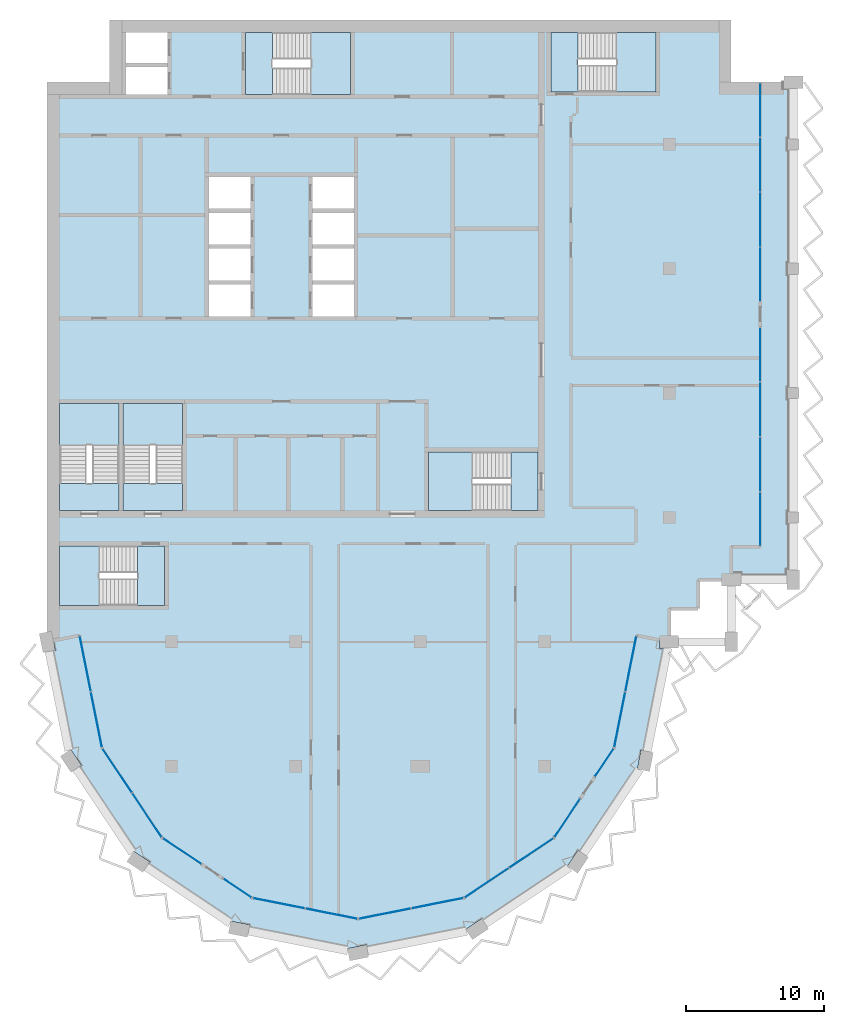
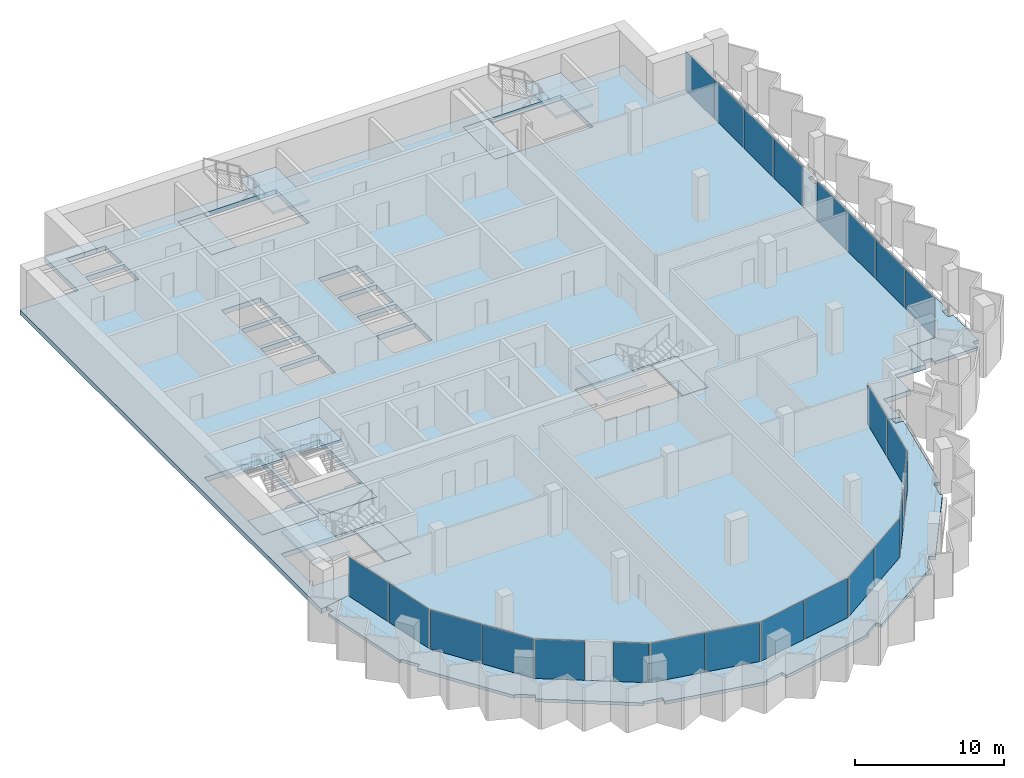
# One storey, part 6 of 14: 24 plates, 15 slabs, 18 elements without a shape of their own.
"""IFC4 building model written with IfcOpenShell, lengths in metres."""

from ifc_helpers import new_model, si_unit, direction, frame, origin, origin_2d, place, context, subcontext, project, spatial, polyline, rectangle, outline, extrude, material, layer, layer_set, type_object, element, aggregate, save


model = new_model("IFC4")

# Units and contexts
model_context = context("Model", 3, precision=1e-05, world=origin(), true_north=direction((0.0, 1.0)))
body_context = subcontext(model_context, "Body", "Model", "MODEL_VIEW")
ifc_project = project(units=[si_unit("LENGTHUNIT", "METRE"), si_unit("AREAUNIT", "SQUARE_METRE"), si_unit("VOLUMEUNIT", "CUBIC_METRE"), si_unit("PLANEANGLEUNIT", "RADIAN"), si_unit("MASSUNIT", "GRAM", prefix="KILO")], contexts=[model_context])

# Site, building, storey
site_placement = place(None, origin())
site = spatial("IfcSite", under=ifc_project, at=site_placement, CompositionType="ELEMENT")
building_placement = place(site_placement, origin())
building = spatial("IfcBuilding", under=site, at=building_placement, Name="Hunhe Ridgeline Campus", CompositionType="ELEMENT")
storey_placement = place(building_placement, frame((0.0, 0.0, 295.60009765625)))
storey = spatial("IfcBuildingStorey", under=building, at=storey_placement, Name="L76", CompositionType="ELEMENT", Elevation=295.60009765625)

# Curtain wall, plates
ifc_material_1 = material(Name="Aluminium 6063", Category="aluminium")
curtain_wall_type_1 = type_object("IfcCurtainWallType", Name="Curtain wall CW-5", PredefinedType="NOTDEFINED", material=ifc_material_1)
curtain_wall_1_placement = place(storey_placement, origin())
curtain_wall_1 = element("IfcCurtainWall", 1, at=curtain_wall_1_placement, inside=storey, type_object=curtain_wall_type_1, Name="Curtain wall 01", PredefinedType="NOTDEFINED")
ifc_material_2 = material(Name="Low-e laminated glass", Category="glass")
ifc_layer_1 = layer(ifc_material_2, 0.028076171875)
ifc_layer_set_1 = layer_set([ifc_layer_1], Name="Curtain wall glass panel 28 low-e laminated")
plate_type = type_object("IfcPlateType", Name="Curtain wall glass panel 28 low-e laminated", PredefinedType="CURTAIN_PANEL", material=ifc_layer_set_1)
plate_1_placement = place(storey_placement, frame((2.76318359375, 52.416015625, 0.0), z_axis=(0.0, 0.0, 1.0), x_axis=(0.195095347137, -0.980784280831, 0.0)))
plate_1 = element("IfcPlate", 2, at=plate_1_placement, type_object=plate_type, Name="CW-5 panel 1", PredefinedType="CURTAIN_PANEL", context=body_context, shape_type="SweptSolid", body=[
    extrude(rectangle(XDim=4.0458984375, YDim=0.028076171875, at=origin_2d()), origin(), (0.0, 0.0, 1.0), 3.22998046875),
])
plate_2_placement = place(storey_placement, frame((3.566162109375, 48.379150390625, 0.0), z_axis=(0.0, 0.0, 1.0), x_axis=(0.195095347137, -0.980784280831, 0.0)))
plate_2 = element("IfcPlate", 3, at=plate_2_placement, type_object=plate_type, Name="CW-5 panel 2", PredefinedType="CURTAIN_PANEL", context=body_context, shape_type="SweptSolid", body=[
    extrude(rectangle(XDim=4.0458984375, YDim=0.028076171875, at=origin_2d()), origin(), (0.0, 0.0, 1.0), 3.22998046875),
])
aggregate(curtain_wall_1, [plate_1, plate_2])

curtain_wall_2_placement = place(storey_placement, origin())
curtain_wall_2 = element("IfcCurtainWall", 4, at=curtain_wall_2_placement, inside=storey, type_object=curtain_wall_type_1, Name="Curtain wall 02", PredefinedType="NOTDEFINED")
plate_3_placement = place(storey_placement, frame((5.07080078125, 44.685546875, 0.0), z_axis=(0.0, 0.0, 1.0), x_axis=(0.555570274596, -0.831469584522, 0.0)))
plate_3 = element("IfcPlate", 5, at=plate_3_placement, type_object=plate_type, Name="CW-5 panel 1", PredefinedType="CURTAIN_PANEL", context=body_context, shape_type="SweptSolid", body=[
    extrude(rectangle(XDim=3.806884765625, YDim=0.028076171875, at=origin_2d()), origin(), (0.0, 0.0, 1.0), 3.22998046875),
])
plate_4_placement = place(storey_placement, frame((7.224609375, 41.4619140625, 0.0), z_axis=(0.0, 0.0, 1.0), x_axis=(0.555570274596, -0.831469584522, 0.0)))
plate_4 = element("IfcPlate", 6, at=plate_4_placement, type_object=plate_type, Name="CW-5 panel 2", PredefinedType="CURTAIN_PANEL", context=body_context, shape_type="SweptSolid", body=[
    extrude(rectangle(XDim=3.806884765625, YDim=0.028076171875, at=origin_2d()), origin(), (0.0, 0.0, 1.0), 3.22998046875),
])
aggregate(curtain_wall_2, [plate_3, plate_4])

# Curtain wall, plate
curtain_wall_3_placement = place(storey_placement, origin())
curtain_wall_3 = element("IfcCurtainWall", 7, at=curtain_wall_3_placement, inside=storey, type_object=curtain_wall_type_1, Name="Curtain wall 03", PredefinedType="NOTDEFINED")
plate_5_placement = place(storey_placement, frame((9.76025390625, 38.859375, 0.0), z_axis=(0.0, 0.0, 1.0), x_axis=(0.831469595944, -0.555570257501, 0.0)))
plate_5 = element("IfcPlate", 8, at=plate_5_placement, type_object=plate_type, Name="CW-5 panel 1", PredefinedType="CURTAIN_PANEL", context=body_context, shape_type="SweptSolid", body=[
    extrude(rectangle(XDim=3.322021484375, YDim=0.028076171875, at=origin_2d()), origin(), (0.0, 0.0, 1.0), 3.22998046875),
])
aggregate(curtain_wall_3, [plate_5])

curtain_wall_4_placement = place(storey_placement, origin())
curtain_wall_4 = element("IfcCurtainWall", 9, at=curtain_wall_4_placement, inside=storey, type_object=curtain_wall_type_1, Name="Curtain wall 04", PredefinedType="NOTDEFINED")
plate_6_placement = place(storey_placement, frame((13.761474609375, 36.18603515625, 0.0), z_axis=(0.0, 0.0, 1.0), x_axis=(0.831469510353, -0.555570385598, 0.0)))
plate_6 = element("IfcPlate", 10, at=plate_6_placement, type_object=plate_type, Name="CW-5 panel 1", PredefinedType="CURTAIN_PANEL", context=body_context, shape_type="SweptSolid", body=[
    extrude(rectangle(XDim=2.421875, YDim=0.028076171875, at=origin_2d()), origin(), (0.0, 0.0, 1.0), 3.22998046875),
])
aggregate(curtain_wall_4, [plate_6])

# Curtain wall, plates
curtain_wall_5_placement = place(storey_placement, origin())
curtain_wall_5 = element("IfcCurtainWall", 11, at=curtain_wall_5_placement, inside=storey, type_object=curtain_wall_type_1, Name="Curtain wall 05", PredefinedType="NOTDEFINED")
plate_7_placement = place(storey_placement, frame((16.761962890625, 35.08935546875, 0.0), z_axis=(0.0, 0.0, 1.0), x_axis=(0.980785275326, -0.195090347539, 0.0)))
plate_7 = element("IfcPlate", 12, at=plate_7_placement, type_object=plate_type, Name="CW-5 panel 1", PredefinedType="CURTAIN_PANEL", context=body_context, shape_type="SweptSolid", body=[
    extrude(rectangle(XDim=3.806884765625, YDim=0.028076171875, at=origin_2d()), origin(), (0.0, 0.0, 1.0), 3.22998046875),
])
plate_8_placement = place(storey_placement, frame((20.564453125, 34.3330078125, 0.0), z_axis=(0.0, 0.0, 1.0), x_axis=(0.980785275326, -0.195090347539, 0.0)))
plate_8 = element("IfcPlate", 13, at=plate_8_placement, type_object=plate_type, Name="CW-5 panel 2", PredefinedType="CURTAIN_PANEL", context=body_context, shape_type="SweptSolid", body=[
    extrude(rectangle(XDim=3.806884765625, YDim=0.028076171875, at=origin_2d()), origin(), (0.0, 0.0, 1.0), 3.22998046875),
])
aggregate(curtain_wall_5, [plate_7, plate_8])

curtain_wall_6_placement = place(storey_placement, origin())
curtain_wall_6 = element("IfcCurtainWall", 14, at=curtain_wall_6_placement, inside=storey, type_object=curtain_wall_type_1, Name="Curtain wall 06", PredefinedType="NOTDEFINED")
plate_9_placement = place(storey_placement, frame((24.435546875, 34.3330078125, 0.0), z_axis=(0.0, 0.0, 1.0), x_axis=(0.980785275326, 0.195090347539, 0.0)))
plate_9 = element("IfcPlate", 15, at=plate_9_placement, type_object=plate_type, Name="CW-5 panel 1", PredefinedType="CURTAIN_PANEL", context=body_context, shape_type="SweptSolid", body=[
    extrude(rectangle(XDim=3.806884765625, YDim=0.028076171875, at=origin_2d()), origin(), (0.0, 0.0, 1.0), 3.22998046875),
])
plate_10_placement = place(storey_placement, frame((28.238037109375, 35.08935546875, 0.0), z_axis=(0.0, 0.0, 1.0), x_axis=(0.980785275326, 0.195090347539, 0.0)))
plate_10 = element("IfcPlate", 16, at=plate_10_placement, type_object=plate_type, Name="CW-5 panel 2", PredefinedType="CURTAIN_PANEL", context=body_context, shape_type="SweptSolid", body=[
    extrude(rectangle(XDim=3.806884765625, YDim=0.028076171875, at=origin_2d()), origin(), (0.0, 0.0, 1.0), 3.22998046875),
])
aggregate(curtain_wall_6, [plate_9, plate_10])

curtain_wall_7_placement = place(storey_placement, origin())
curtain_wall_7 = element("IfcCurtainWall", 17, at=curtain_wall_7_placement, inside=storey, type_object=curtain_wall_type_1, Name="Curtain wall 07", PredefinedType="NOTDEFINED")
plate_11_placement = place(storey_placement, frame((31.814453125, 36.57080078125, 0.0), z_axis=(0.0, 0.0, 1.0), x_axis=(0.831469584522, 0.555570274596, 0.0)))
plate_11 = element("IfcPlate", 18, at=plate_11_placement, type_object=plate_type, Name="CW-5 panel 1", PredefinedType="CURTAIN_PANEL", context=body_context, shape_type="SweptSolid", body=[
    extrude(rectangle(XDim=3.806884765625, YDim=0.028076171875, at=origin_2d()), origin(), (0.0, 0.0, 1.0), 3.22998046875),
])
plate_12_placement = place(storey_placement, frame((35.0380859375, 38.724609375, 0.0), z_axis=(0.0, 0.0, 1.0), x_axis=(0.831469584522, 0.555570274596, 0.0)))
plate_12 = element("IfcPlate", 19, at=plate_12_placement, type_object=plate_type, Name="CW-5 panel 2", PredefinedType="CURTAIN_PANEL", context=body_context, shape_type="SweptSolid", body=[
    extrude(rectangle(XDim=3.806884765625, YDim=0.028076171875, at=origin_2d()), origin(), (0.0, 0.0, 1.0), 3.22998046875),
])
aggregate(curtain_wall_7, [plate_11, plate_12])

# Curtain wall, plate
curtain_wall_8_placement = place(storey_placement, origin())
curtain_wall_8 = element("IfcCurtainWall", 20, at=curtain_wall_8_placement, inside=storey, type_object=curtain_wall_type_1, Name="Curtain wall 08", PredefinedType="NOTDEFINED")
plate_13_placement = place(storey_placement, frame((37.640625, 41.26025390625, 0.0), z_axis=(0.0, 0.0, 1.0), x_axis=(0.555570257501, 0.831469595944, 0.0)))
plate_13 = element("IfcPlate", 21, at=plate_13_placement, type_object=plate_type, Name="CW-5 panel 1", PredefinedType="CURTAIN_PANEL", context=body_context, shape_type="SweptSolid", body=[
    extrude(rectangle(XDim=3.322021484375, YDim=0.028076171875, at=origin_2d()), origin(), (0.0, 0.0, 1.0), 3.22998046875),
])
aggregate(curtain_wall_8, [plate_13])

curtain_wall_9_placement = place(storey_placement, origin())
curtain_wall_9 = element("IfcCurtainWall", 22, at=curtain_wall_9_placement, inside=storey, type_object=curtain_wall_type_1, Name="Curtain wall 09", PredefinedType="NOTDEFINED")
plate_14_placement = place(storey_placement, frame((40.31396484375, 45.261474609375, 0.0), z_axis=(0.0, 0.0, 1.0), x_axis=(0.555570385598, 0.831469510353, 0.0)))
plate_14 = element("IfcPlate", 23, at=plate_14_placement, type_object=plate_type, Name="CW-5 panel 1", PredefinedType="CURTAIN_PANEL", context=body_context, shape_type="SweptSolid", body=[
    extrude(rectangle(XDim=2.421875, YDim=0.028076171875, at=origin_2d()), origin(), (0.0, 0.0, 1.0), 3.22998046875),
])
aggregate(curtain_wall_9, [plate_14])

# Curtain wall, plates
curtain_wall_10_placement = place(storey_placement, origin())
curtain_wall_10 = element("IfcCurtainWall", 24, at=curtain_wall_10_placement, inside=storey, type_object=curtain_wall_type_1, Name="Curtain wall 10", PredefinedType="NOTDEFINED")
plate_15_placement = place(storey_placement, frame((41.433837890625, 48.379150390625, 0.0), z_axis=(0.0, 0.0, 1.0), x_axis=(0.19510421996, 0.980782515828, 0.0)))
plate_15 = element("IfcPlate", 25, at=plate_15_placement, type_object=plate_type, Name="CW-5 panel 1", PredefinedType="CURTAIN_PANEL", context=body_context, shape_type="SweptSolid", body=[
    extrude(rectangle(XDim=4.0458984375, YDim=0.028076171875, at=origin_2d()), origin(), (0.0, 0.0, 1.0), 3.22998046875),
])
plate_16_placement = place(storey_placement, frame((42.237060546875, 52.416015625, 0.0), z_axis=(0.0, 0.0, 1.0), x_axis=(0.19510421996, 0.980782515828, 0.0)))
plate_16 = element("IfcPlate", 26, at=plate_16_placement, type_object=plate_type, Name="CW-5 panel 2", PredefinedType="CURTAIN_PANEL", context=body_context, shape_type="SweptSolid", body=[
    extrude(rectangle(XDim=4.0458984375, YDim=0.028076171875, at=origin_2d()), origin(), (0.0, 0.0, 1.0), 3.22998046875),
])
aggregate(curtain_wall_10, [plate_15, plate_16])

curtain_wall_type_2 = type_object("IfcCurtainWallType", Name="Curtain wall CW-1", PredefinedType="NOTDEFINED", material=ifc_material_1)
curtain_wall_11_placement = place(storey_placement, origin())
curtain_wall_11 = element("IfcCurtainWall", 27, at=curtain_wall_11_placement, inside=storey, type_object=curtain_wall_type_2, Name="Curtain wall 11", PredefinedType="NOTDEFINED")
plate_17_placement = place(storey_placement, frame((51.59912109375, 62.9033203125, 0.0), z_axis=(0.0, 0.0, 1.0), x_axis=(0.0, 1.0, 0.0)))
plate_17 = element("IfcPlate", 28, at=plate_17_placement, type_object=plate_type, Name="CW-1 panel 1", PredefinedType="CURTAIN_PANEL", context=body_context, shape_type="SweptSolid", body=[
    extrude(rectangle(XDim=3.884765625, YDim=0.028076171875, at=origin_2d()), origin(), (0.0, 0.0, 1.0), 3.239990234375),
])
plate_18_placement = place(storey_placement, frame((51.59912109375, 66.86328125, 0.0), z_axis=(0.0, 0.0, 1.0), x_axis=(0.0, 1.0, 0.0)))
plate_18 = element("IfcPlate", 29, at=plate_18_placement, type_object=plate_type, Name="CW-1 panel 2", PredefinedType="CURTAIN_PANEL", context=body_context, shape_type="SweptSolid", body=[
    extrude(rectangle(XDim=3.914794921875, YDim=0.028076171875, at=origin_2d()), origin(), (0.0, 0.0, 1.0), 3.239990234375),
])
plate_19_placement = place(storey_placement, frame((51.59912109375, 70.838134765625, 0.0), z_axis=(0.0, 0.0, 1.0), x_axis=(0.0, 1.0, 0.0)))
plate_19 = element("IfcPlate", 30, at=plate_19_placement, type_object=plate_type, Name="CW-1 panel 3", PredefinedType="CURTAIN_PANEL", context=body_context, shape_type="SweptSolid", body=[
    extrude(rectangle(XDim=3.914794921875, YDim=0.028076171875, at=origin_2d()), origin(), (0.0, 0.0, 1.0), 3.239990234375),
])
plate_20_placement = place(storey_placement, frame((51.59912109375, 74.798095703125, 0.0), z_axis=(0.0, 0.0, 1.0), x_axis=(0.0, 1.0, 0.0)))
plate_20 = element("IfcPlate", 31, at=plate_20_placement, type_object=plate_type, Name="CW-1 panel 4", PredefinedType="CURTAIN_PANEL", context=body_context, shape_type="SweptSolid", body=[
    extrude(rectangle(XDim=3.884765625, YDim=0.028076171875, at=origin_2d()), origin(), (0.0, 0.0, 1.0), 3.239990234375),
])
aggregate(curtain_wall_11, [plate_17, plate_18, plate_19, plate_20])

curtain_wall_12_placement = place(storey_placement, origin())
curtain_wall_12 = element("IfcCurtainWall", 32, at=curtain_wall_12_placement, inside=storey, type_object=curtain_wall_type_2, Name="Curtain wall 12", PredefinedType="NOTDEFINED")
plate_21_placement = place(storey_placement, frame((51.59912109375, 80.60302734375, 0.0), z_axis=(0.0, 0.0, 1.0), x_axis=(0.0, 1.0, 0.0)))
plate_21 = element("IfcPlate", 33, at=plate_21_placement, type_object=plate_type, Name="CW-1 panel 1", PredefinedType="CURTAIN_PANEL", context=body_context, shape_type="SweptSolid", body=[
    extrude(rectangle(XDim=3.884765625, YDim=0.028076171875, at=origin_2d()), origin(), (0.0, 0.0, 1.0), 3.239990234375),
])
plate_22_placement = place(storey_placement, frame((51.59912109375, 84.562744140625, 0.0), z_axis=(0.0, 0.0, 1.0), x_axis=(0.0, 1.0, 0.0)))
plate_22 = element("IfcPlate", 34, at=plate_22_placement, type_object=plate_type, Name="CW-1 panel 2", PredefinedType="CURTAIN_PANEL", context=body_context, shape_type="SweptSolid", body=[
    extrude(rectangle(XDim=3.914794921875, YDim=0.028076171875, at=origin_2d()), origin(), (0.0, 0.0, 1.0), 3.239990234375),
])
plate_23_placement = place(storey_placement, frame((51.59912109375, 88.53759765625, 0.0), z_axis=(0.0, 0.0, 1.0), x_axis=(0.0, 1.0, 0.0)))
plate_23 = element("IfcPlate", 35, at=plate_23_placement, type_object=plate_type, Name="CW-1 panel 3", PredefinedType="CURTAIN_PANEL", context=body_context, shape_type="SweptSolid", body=[
    extrude(rectangle(XDim=3.914794921875, YDim=0.028076171875, at=origin_2d()), origin(), (0.0, 0.0, 1.0), 3.239990234375),
])
plate_24_placement = place(storey_placement, frame((51.59912109375, 92.49755859375, 0.0), z_axis=(0.0, 0.0, 1.0), x_axis=(0.0, 1.0, 0.0)))
plate_24 = element("IfcPlate", 36, at=plate_24_placement, type_object=plate_type, Name="CW-1 panel 4", PredefinedType="CURTAIN_PANEL", context=body_context, shape_type="SweptSolid", body=[
    extrude(rectangle(XDim=3.884765625, YDim=0.028076171875, at=origin_2d()), origin(), (0.0, 0.0, 1.0), 3.239990234375),
])
aggregate(curtain_wall_12, [plate_21, plate_22, plate_23, plate_24])

# Slabs
ifc_material_3 = material(Name="Concrete C40", Category="concrete")
ifc_layer_2 = layer(ifc_material_3, 0.39990234375)
ifc_layer_set_2 = layer_set([ifc_layer_2], Name="Floor slab 400 Concrete C40")
slab_type_1 = type_object("IfcSlabType", Name="Floor slab 400 Concrete C40", PredefinedType="FLOOR", material=ifc_layer_set_2)
slab_1_placement = place(storey_placement, frame((0.0, 0.0, -0.400146484375)))
element("IfcSlab", 37, at=slab_1_placement, inside=storey, type_object=slab_type_1, Name="Floor slab L76 1", PredefinedType="FLOOR", context=body_context, shape_type="SweptSolid", body=[
    extrude(outline(polyline([(36.678955078125, 39.821044921875), (41.025634765625, 46.326416015625), (42.645263671875, 54.46875), (44.9990234375, 54.001220703125), (44.999267578125, 56.400634765625), (47.09912109375, 56.40087890625), (47.099609375, 58.5009765625), (49.4990234375, 58.5009765625), (49.49951171875, 60.90087890625), (51.59912109375, 60.90087890625), (51.59912109375, 94.5), (49.5, 94.5), (49.5, 99.0), (4.5, 99.0), (4.5, 94.5), (0.0, 94.5), (0.0, 54.0009765625), (2.354736328125, 54.46875), (3.974365234375, 46.326416015625), (8.321044921875, 39.821044921875), (14.826416015625, 35.474365234375), (22.5, 33.947998046875), (30.173583984375, 35.474365234375), (36.678955078125, 39.821044921875)]), holes=[polyline([(44.050048828125, 98.10009765625), (36.449951171875, 98.10009765625), (36.449951171875, 93.800048828125), (44.050048828125, 93.800048828125), (44.050048828125, 98.10009765625)]), polyline([(27.60009765625, 67.75), (27.60009765625, 63.5), (35.5, 63.5), (35.5, 67.75), (27.60009765625, 67.75)]), polyline([(22.199951171875, 85.35009765625), (22.199951171875, 87.64990234375), (19.199951171875, 87.64990234375), (19.199951171875, 85.35009765625), (22.199951171875, 85.35009765625)]), polyline([(22.199951171875, 85.050048828125), (19.199951171875, 85.050048828125), (19.199951171875, 82.75), (22.199951171875, 82.75), (22.199951171875, 85.050048828125)]), polyline([(19.199951171875, 82.449951171875), (19.199951171875, 80.14990234375), (22.199951171875, 80.14990234375), (22.199951171875, 82.449951171875), (19.199951171875, 82.449951171875)]), polyline([(19.199951171875, 77.550048828125), (22.199951171875, 77.550048828125), (22.199951171875, 79.85009765625), (19.199951171875, 79.85009765625), (19.199951171875, 77.550048828125)]), polyline([(21.949951171875, 98.10009765625), (14.35009765625, 98.10009765625), (14.35009765625, 93.60009765625), (21.949951171875, 93.60009765625), (21.949951171875, 98.10009765625)]), polyline([(14.699951171875, 85.35009765625), (14.699951171875, 87.64990234375), (11.699951171875, 87.64990234375), (11.699951171875, 85.35009765625), (14.699951171875, 85.35009765625)]), polyline([(14.699951171875, 85.050048828125), (11.699951171875, 85.050048828125), (11.699951171875, 82.75), (14.699951171875, 82.75), (14.699951171875, 85.050048828125)]), polyline([(11.699951171875, 82.449951171875), (11.699951171875, 80.14990234375), (14.699951171875, 80.14990234375), (14.699951171875, 82.449951171875), (11.699951171875, 82.449951171875)]), polyline([(11.699951171875, 77.550048828125), (14.699951171875, 77.550048828125), (14.699951171875, 79.85009765625), (11.699951171875, 79.85009765625), (11.699951171875, 77.550048828125)]), polyline([(5.5, 63.5), (9.800048828125, 63.5), (9.800048828125, 71.25), (5.5, 71.25), (5.5, 63.5)]), polyline([(5.699951171875, 98.10009765625), (5.699951171875, 95.89990234375), (8.699951171875, 95.89990234375), (8.699951171875, 98.10009765625), (5.699951171875, 98.10009765625)]), polyline([(5.699951171875, 93.60009765625), (8.699951171875, 93.60009765625), (8.699951171875, 95.60009765625), (5.699951171875, 95.60009765625), (5.699951171875, 93.60009765625)]), polyline([(0.89990234375, 60.949951171875), (0.89990234375, 56.64990234375), (8.5, 56.64990234375), (8.5, 60.949951171875), (0.89990234375, 60.949951171875)]), polyline([(5.199951171875, 63.5), (5.199951171875, 71.25), (0.89990234375, 71.25), (0.89990234375, 63.5), (5.199951171875, 63.5)])]), origin(), (0.0, 0.0, 1.0), 0.400146484375),
])
ifc_layer_3 = layer(ifc_material_3, 0.25)
ifc_layer_set_3 = layer_set([ifc_layer_3], Name="Loggia slab 250 Concrete C40")
slab_type_2 = type_object("IfcSlabType", Name="Loggia slab 250 Concrete C40", PredefinedType="FLOOR", material=ifc_layer_set_3)
slab_2_placement = place(storey_placement, frame((0.0, 0.0, -0.25)))
element("IfcSlab", 38, at=slab_2_placement, inside=storey, type_object=slab_type_2, Name="Loggia slab 1", PredefinedType="FLOOR", context=body_context, shape_type="SweptSolid", body=[
    extrude(outline(polyline([(30.173828125, 35.473388671875), (22.5, 33.947021484375), (14.826171875, 35.473388671875), (8.3203125, 39.8203125), (3.973388671875, 46.326171875), (2.35400390625, 54.46826171875), (0.44140625, 54.087890625), (0.577880859375, 53.401123046875), (0.136474609375, 53.3134765625), (1.56494140625, 46.1328125), (1.697998046875, 46.2216796875), (2.475830078125, 45.0576171875), (2.1015625, 44.8076171875), (6.169189453125, 38.719970703125), (6.258056640625, 38.853271484375), (7.422119140625, 38.075439453125), (7.172119140625, 37.701171875), (13.259521484375, 33.633544921875), (13.290771484375, 33.79052734375), (14.6640625, 33.517578125), (14.576171875, 33.076171875), (21.7568359375, 31.647705078125), (21.7255859375, 31.8046875), (23.098876953125, 32.077880859375), (23.1865234375, 31.636474609375), (30.3671875, 33.06494140625), (30.2783203125, 33.197998046875), (31.4423828125, 33.975830078125), (31.6923828125, 33.6015625), (37.780029296875, 37.669189453125), (37.646728515625, 37.758056640625), (38.424560546875, 38.922119140625), (38.798828125, 38.672119140625), (42.866455078125, 44.759521484375), (42.70947265625, 44.790771484375), (42.982421875, 46.1640625), (43.423828125, 46.076171875), (44.910400390625, 53.550048828125), (44.300048828125, 53.550048828125), (44.300048828125, 54.13916015625), (42.64599609375, 54.46826171875), (41.026611328125, 46.326171875), (36.6796875, 39.8203125), (30.173828125, 35.473388671875)])), origin(), (0.0, 0.0, 1.0), 0.25),
])
slab_3_placement = place(storey_placement, frame((0.0, 0.0, -0.25)))
element("IfcSlab", 39, at=slab_3_placement, inside=storey, type_object=slab_type_2, Name="Loggia slab 2", PredefinedType="FLOOR", context=body_context, shape_type="SweptSolid", body=[
    extrude(outline(polyline([(49.5, 58.949951171875), (50.199951171875, 58.949951171875), (50.199951171875, 58.5), (53.550048828125, 58.5), (53.550048828125, 59.199951171875), (54.0, 59.199951171875), (54.0, 62.60009765625), (53.60009765625, 62.60009765625), (53.60009765625, 63.39990234375), (54.0, 63.39990234375), (54.0, 71.60009765625), (53.60009765625, 71.60009765625), (53.60009765625, 72.39990234375), (54.0, 72.39990234375), (54.0, 80.60009765625), (53.60009765625, 80.60009765625), (53.60009765625, 81.39990234375), (54.0, 81.39990234375), (54.0, 89.60009765625), (53.60009765625, 89.60009765625), (53.60009765625, 90.39990234375), (54.0, 90.39990234375), (54.0, 94.050048828125), (53.300048828125, 94.050048828125), (53.300048828125, 94.5), (51.60009765625, 94.5), (51.60009765625, 60.89990234375), (49.5, 60.89990234375), (49.5, 58.949951171875)])), origin(), (0.0, 0.0, 1.0), 0.25),
])

# Stair, slab
stair_type = type_object("IfcStairType", Name="Reinforced concrete dog-leg stair 1950 Concrete C40", PredefinedType="HALF_TURN_STAIR", material=ifc_material_3)
stair_1_placement = place(storey_placement, origin())
stair_1 = element("IfcStair", 40, at=stair_1_placement, inside=storey, type_object=stair_type, Name="L76 S1", PredefinedType="HALF_TURN_STAIR")
ifc_layer_4 = layer(ifc_material_3, 0.199951171875)
ifc_layer_set_4 = layer_set([ifc_layer_4], Name="Reinforced concrete stair landing 200 Concrete C40")
slab_type_3 = type_object("IfcSlabType", Name="Reinforced concrete stair landing 200 Concrete C40", PredefinedType="LANDING", material=ifc_layer_set_4)
slab_4_placement = place(storey_placement, frame((0.0, 0.0, 1.64990234375)))
slab_4 = element("IfcSlab", 41, at=slab_4_placement, type_object=slab_type_3, Name="ST1 landing 1", PredefinedType="LANDING", context=body_context, shape_type="SweptSolid", body=[
    extrude(outline(polyline([(19.10009765625, 93.60009765625), (21.949951171875, 93.60009765625), (21.949951171875, 98.10009765625), (19.10009765625, 98.10009765625), (19.10009765625, 93.60009765625)])), origin(), (0.0, 0.0, 1.0), 0.199951171875),
])
aggregate(stair_1, [slab_4])

# Slab
slab_5_placement = place(storey_placement, frame((0.0, 0.0, -0.2001953125)))
element("IfcSlab", 42, at=slab_5_placement, inside=storey, type_object=slab_type_3, Name="L76 stair S1 floor landing", PredefinedType="LANDING", context=body_context, shape_type="SweptSolid", body=[
    extrude(outline(polyline([(14.35009765625, 93.60009765625), (16.300048828125, 93.60009765625), (16.300048828125, 98.10009765625), (14.35009765625, 98.10009765625), (14.35009765625, 93.60009765625)])), origin(), (0.0, 0.0, 1.0), 0.2001953125),
])

# Stair, slab
stair_2_placement = place(storey_placement, origin())
stair_2 = element("IfcStair", 43, at=stair_2_placement, inside=storey, type_object=stair_type, Name="L76 S2", PredefinedType="HALF_TURN_STAIR")
slab_6_placement = place(storey_placement, frame((0.0, 0.0, 1.64990234375)))
slab_6 = element("IfcSlab", 44, at=slab_6_placement, type_object=slab_type_3, Name="ST2 landing 1", PredefinedType="LANDING", context=body_context, shape_type="SweptSolid", body=[
    extrude(outline(polyline([(30.75, 67.75), (27.60009765625, 67.75), (27.60009765625, 63.5), (30.75, 63.5), (30.75, 67.75)])), origin(), (0.0, 0.0, 1.0), 0.199951171875),
])
aggregate(stair_2, [slab_6])

# Slab
slab_7_placement = place(storey_placement, frame((0.0, 0.0, -0.2001953125)))
element("IfcSlab", 45, at=slab_7_placement, inside=storey, type_object=slab_type_3, Name="L76 stair S2 floor landing", PredefinedType="LANDING", context=body_context, shape_type="SweptSolid", body=[
    extrude(outline(polyline([(35.5, 67.75), (33.550048828125, 67.75), (33.550048828125, 63.5), (35.5, 63.5), (35.5, 67.75)])), origin(), (0.0, 0.0, 1.0), 0.2001953125),
])

# Stair, slab
stair_3_placement = place(storey_placement, origin())
stair_3 = element("IfcStair", 46, at=stair_3_placement, inside=storey, type_object=stair_type, Name="L76 S3", PredefinedType="HALF_TURN_STAIR")
slab_8_placement = place(storey_placement, frame((0.0, 0.0, 1.64990234375)))
slab_8 = element("IfcSlab", 47, at=slab_8_placement, type_object=slab_type_3, Name="ST3 landing 1", PredefinedType="LANDING", context=body_context, shape_type="SweptSolid", body=[
    extrude(outline(polyline([(5.199951171875, 68.25), (5.199951171875, 71.25), (0.89990234375, 71.25), (0.89990234375, 68.25), (5.199951171875, 68.25)])), origin(), (0.0, 0.0, 1.0), 0.199951171875),
])
aggregate(stair_3, [slab_8])

# Slab
slab_9_placement = place(storey_placement, frame((0.0, 0.0, -0.2001953125)))
element("IfcSlab", 48, at=slab_9_placement, inside=storey, type_object=slab_type_3, Name="L76 stair S3 floor landing", PredefinedType="LANDING", context=body_context, shape_type="SweptSolid", body=[
    extrude(outline(polyline([(5.199951171875, 63.5), (5.199951171875, 65.449951171875), (0.89990234375, 65.449951171875), (0.89990234375, 63.5), (5.199951171875, 63.5)])), origin(), (0.0, 0.0, 1.0), 0.2001953125),
])

# Stair, slab
stair_4_placement = place(storey_placement, origin())
stair_4 = element("IfcStair", 49, at=stair_4_placement, inside=storey, type_object=stair_type, Name="L76 S4", PredefinedType="HALF_TURN_STAIR")
slab_10_placement = place(storey_placement, frame((0.0, 0.0, 1.64990234375)))
slab_10 = element("IfcSlab", 50, at=slab_10_placement, type_object=slab_type_3, Name="ST4 landing 1", PredefinedType="LANDING", context=body_context, shape_type="SweptSolid", body=[
    extrude(outline(polyline([(9.800048828125, 68.25), (9.800048828125, 71.25), (5.5, 71.25), (5.5, 68.25), (9.800048828125, 68.25)])), origin(), (0.0, 0.0, 1.0), 0.199951171875),
])
aggregate(stair_4, [slab_10])

# Slab
slab_11_placement = place(storey_placement, frame((0.0, 0.0, -0.2001953125)))
element("IfcSlab", 51, at=slab_11_placement, inside=storey, type_object=slab_type_3, Name="L76 stair S4 floor landing", PredefinedType="LANDING", context=body_context, shape_type="SweptSolid", body=[
    extrude(outline(polyline([(9.800048828125, 63.5), (9.800048828125, 65.449951171875), (5.5, 65.449951171875), (5.5, 63.5), (9.800048828125, 63.5)])), origin(), (0.0, 0.0, 1.0), 0.2001953125),
])

# Stair, slab
stair_5_placement = place(storey_placement, origin())
stair_5 = element("IfcStair", 52, at=stair_5_placement, inside=storey, type_object=stair_type, Name="L76 E1", PredefinedType="HALF_TURN_STAIR")
slab_12_placement = place(storey_placement, frame((0.0, 0.0, 1.64990234375)))
slab_12 = element("IfcSlab", 53, at=slab_12_placement, type_object=slab_type_3, Name="ST5 landing 1", PredefinedType="LANDING", context=body_context, shape_type="SweptSolid", body=[
    extrude(outline(polyline([(41.199951171875, 93.800048828125), (44.050048828125, 93.800048828125), (44.050048828125, 98.10009765625), (41.199951171875, 98.10009765625), (41.199951171875, 93.800048828125)])), origin(), (0.0, 0.0, 1.0), 0.199951171875),
])
aggregate(stair_5, [slab_12])

# Slab
slab_13_placement = place(storey_placement, frame((0.0, 0.0, -0.2001953125)))
element("IfcSlab", 54, at=slab_13_placement, inside=storey, type_object=slab_type_3, Name="L76 stair E1 floor landing", PredefinedType="LANDING", context=body_context, shape_type="SweptSolid", body=[
    extrude(outline(polyline([(36.449951171875, 93.800048828125), (38.39990234375, 93.800048828125), (38.39990234375, 98.10009765625), (36.449951171875, 98.10009765625), (36.449951171875, 93.800048828125)])), origin(), (0.0, 0.0, 1.0), 0.2001953125),
])

# Stair, slab
stair_6_placement = place(storey_placement, origin())
stair_6 = element("IfcStair", 55, at=stair_6_placement, inside=storey, type_object=stair_type, Name="L76 W2", PredefinedType="HALF_TURN_STAIR")
slab_14_placement = place(storey_placement, frame((0.0, 0.0, 1.64990234375)))
slab_14 = element("IfcSlab", 56, at=slab_14_placement, type_object=slab_type_3, Name="ST12 landing 1", PredefinedType="LANDING", context=body_context, shape_type="SweptSolid", body=[
    extrude(outline(polyline([(3.75, 60.949951171875), (0.89990234375, 60.949951171875), (0.89990234375, 56.64990234375), (3.75, 56.64990234375), (3.75, 60.949951171875)])), origin(), (0.0, 0.0, 1.0), 0.199951171875),
])
aggregate(stair_6, [slab_14])

# Slab
slab_15_placement = place(storey_placement, frame((0.0, 0.0, -0.2001953125)))
element("IfcSlab", 57, at=slab_15_placement, inside=storey, type_object=slab_type_3, Name="L76 stair W2 floor landing", PredefinedType="LANDING", context=body_context, shape_type="SweptSolid", body=[
    extrude(outline(polyline([(8.5, 60.949951171875), (6.550048828125, 60.949951171875), (6.550048828125, 56.64990234375), (8.5, 56.64990234375), (8.5, 60.949951171875)])), origin(), (0.0, 0.0, 1.0), 0.2001953125),
])

save(model, "model.ifc")
